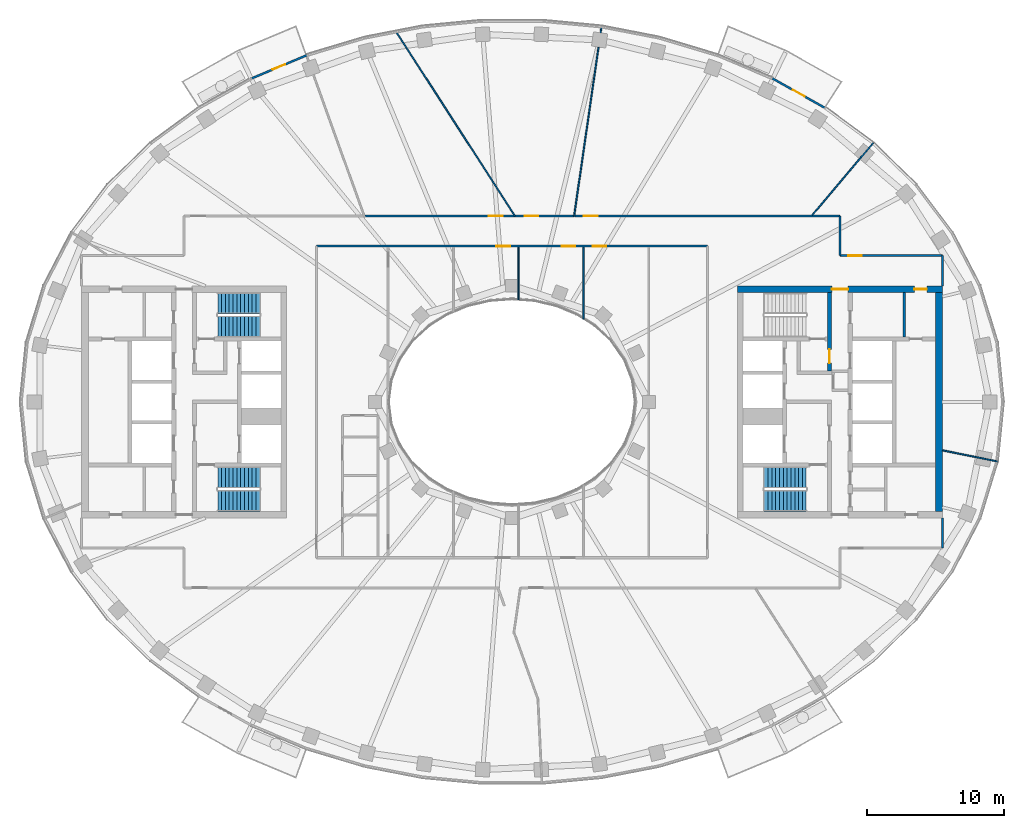
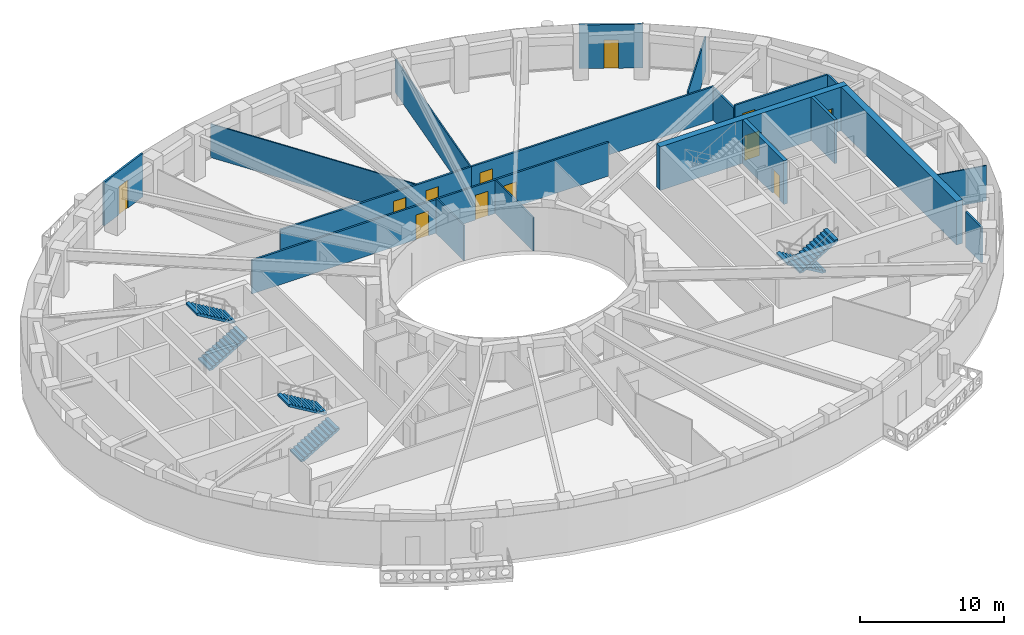
# One storey, part 6 of 15: 19 walls, 12 doors, 6 stair flights, 12 openings, 3 elements without a shape of their own.
"""IFC4 building model written with IfcOpenShell, lengths in metres."""

import ifcopenshell
import ifcopenshell.guid

model = None  # the IFC model being written
_history = None  # IfcOwnerHistory: only IFC2X3 demands one
_inside = {}  # id of a spatial element -> (the spatial element, [elements in it])
_under = {}  # id of a project, library or spatial element -> (it, [spatial elements below it])
_declared = {}  # id of a project -> (the project, [libraries it declares])
_typed = {}  # id of a type object -> (the type object, [elements of that type])
_made_of = {}  # id of a material, layer set ... -> (it, [elements and type objects made of it])


def new_model(schema):
    """Start an empty IFC model of exactly this schema.

    Asked for "IFC4X3", IfcOpenShell would pick the latest addendum, in which some entities
    have other attributes; the version numbers below select the first issue.
    IFC2X3 requires an IfcOwnerHistory on every rooted entity: one is made here for all.
    """
    global model, _history
    if schema == "IFC4X3":
        model = ifcopenshell.file(schema_version=(4, 3, 0, 0))
    else:
        model = ifcopenshell.file(schema=schema)
    _inside.clear()
    _under.clear()
    _declared.clear()
    _typed.clear()
    _made_of.clear()
    _history = None
    if model.schema == "IFC2X3":
        org = make("IfcOrganization", Name="unknown")
        user = make(
            "IfcPersonAndOrganization",
            ThePerson=make("IfcPerson", FamilyName="unknown"),
            TheOrganization=org,
        )
        app = make(
            "IfcApplication",
            ApplicationDeveloper=org,
            Version="unknown",
            ApplicationFullName="unknown",
            ApplicationIdentifier="unknown",
        )
        _history = make(
            "IfcOwnerHistory",
            OwningUser=user,
            OwningApplication=app,
            ChangeAction="ADDED",
            CreationDate=0,
        )
    return model


def make(cls, **values):
    """One entity of the class cls with the attributes given. An attribute that is None is left unset."""
    return model.create_entity(
        cls, **{name: value for name, value in values.items() if value is not None}
    )


def rooted(cls, **values):
    """An entity with a GlobalId (a new one), such as an element, a storey or a relation."""
    return make(cls, GlobalId=ifcopenshell.guid.new(), OwnerHistory=_history, **values)


def si_unit(unit_type, name, prefix=None):
    """IfcSIUnit, for example si_unit("LENGTHUNIT", "METRE", prefix="MILLI")."""
    return make("IfcSIUnit", UnitType=unit_type, Prefix=prefix, Name=name)


def assignment(units):
    """IfcUnitAssignment: the units of a project."""
    return None if units is None else make("IfcUnitAssignment", Units=units)


def point(xyz):
    """IfcCartesianPoint."""
    return None if xyz is None else make("IfcCartesianPoint", Coordinates=xyz)


def direction(xyz):
    """IfcDirection."""
    return None if xyz is None else make("IfcDirection", DirectionRatios=xyz)


def frame(location, z_axis=None, x_axis=None):
    """IfcAxis2Placement3D, a coordinate frame: its origin and axes. An axis left out is left unset."""
    return make(
        "IfcAxis2Placement3D",
        Location=point(location),
        Axis=direction(z_axis),
        RefDirection=direction(x_axis),
    )


def frame_2d(location, x_axis=None):
    """IfcAxis2Placement2D, a coordinate frame in the plane: its origin and x axis."""
    return make(
        "IfcAxis2Placement2D", Location=point(location), RefDirection=direction(x_axis)
    )


def origin():
    """The frame at (0, 0, 0) with its axes left unset."""
    return frame((0.0, 0.0, 0.0))


def place(relative_to, where):
    """IfcLocalPlacement: puts the frame where relative to a parent placement (None: the world)."""
    return make(
        "IfcLocalPlacement", PlacementRelTo=relative_to, RelativePlacement=where
    )


def context(
    kind, dimensions, precision=None, world=None, true_north=None, identifier=None
):
    """IfcGeometricRepresentationContext, for example the 3D "Model" context."""
    return make(
        "IfcGeometricRepresentationContext",
        ContextIdentifier=identifier,
        ContextType=kind,
        CoordinateSpaceDimension=dimensions,
        Precision=precision,
        WorldCoordinateSystem=world,
        TrueNorth=true_north,
    )


def subcontext(parent, identifier, kind, view, scale=None):
    """IfcGeometricRepresentationSubContext, for example "Body" below "Model"."""
    return make(
        "IfcGeometricRepresentationSubContext",
        ContextIdentifier=identifier,
        ContextType=kind,
        ParentContext=parent,
        TargetScale=scale,
        TargetView=view,
    )


def project(units=None, contexts=None):
    """IfcProject with its units and contexts."""
    return rooted(
        "IfcProject",
        Name="project",
        RepresentationContexts=contexts,
        UnitsInContext=assignment(units),
    )


def spatial(cls, under=None, at=None, **own):
    """A site, building, storey or space (cls), placed at a placement, below another one or the project."""
    s = rooted(cls, ObjectPlacement=at, **own)
    if under is not None:
        _under.setdefault(under.id(), (under, []))[1].append(s)
    return s


def polyline(points):
    """IfcPolyline through the points."""
    return make("IfcPolyline", Points=[point(p) for p in points])


def profile(cls, at=None, kind="AREA", **sizes):
    """A parametric profile (cls). Its sizes go by their IFC names, for example OverallWidth=200.0."""
    return make(cls, ProfileType=kind, Position=at, **sizes)


def rectangle(**sizes):
    """IfcRectangleProfileDef."""
    return profile("IfcRectangleProfileDef", **sizes)


def outline(outer, holes=None, kind="AREA"):
    """IfcArbitraryClosedProfileDef: a profile drawn as a closed curve; with holes, ...WithVoids."""
    if holes is None:
        return make("IfcArbitraryClosedProfileDef", ProfileType=kind, OuterCurve=outer)
    return make(
        "IfcArbitraryProfileDefWithVoids",
        ProfileType=kind,
        OuterCurve=outer,
        InnerCurves=holes,
    )


def extrude(swept, where, along, depth):
    """IfcExtrudedAreaSolid: the profile swept, set in the frame where, extruded along a direction by depth."""
    return make(
        "IfcExtrudedAreaSolid",
        SweptArea=swept,
        Position=where,
        ExtrudedDirection=direction(along),
        Depth=depth,
    )


def shape(context_of_items, identifier, shape_type, items):
    """IfcShapeRepresentation: the items that make up one representation, for example the "Body"."""
    return make(
        "IfcShapeRepresentation",
        ContextOfItems=context_of_items,
        RepresentationIdentifier=identifier,
        RepresentationType=shape_type,
        Items=items,
    )


def material(Name=None, Category=None):
    """IfcMaterial."""
    return make("IfcMaterial", Name=Name, Category=Category)


def layer(
    of_material, thickness, ventilated=None, Name=None, Category=None, Priority=None
):
    """IfcMaterialLayer: one layer of a wall or slab, of a material (None: an air gap)."""
    return make(
        "IfcMaterialLayer",
        Material=of_material,
        LayerThickness=thickness,
        IsVentilated=ventilated,
        Name=Name,
        Category=Category,
        Priority=Priority,
    )


def layer_set(layers, Name=None):
    """IfcMaterialLayerSet."""
    return make("IfcMaterialLayerSet", MaterialLayers=layers, LayerSetName=Name)


def made_of(thing, what):
    """Note that an element or type object is made of a material, layer set ...; save() writes the relation."""
    if what is not None:
        _made_of.setdefault(what.id(), (what, []))[1].append(thing)
    return thing


def type_object(cls, material=None, **own):
    """A type object (cls), such as IfcWallType, which elements share."""
    return made_of(rooted(cls, **own), material)


def element(
    cls,
    number,
    at=None,
    inside=None,
    cuts=None,
    type_object=None,
    material=None,
    context=None,
    identifier="Body",
    shape_type=None,
    held_by="IfcProductDefinitionShape",
    body=None,
    shapes=None,
    **own,
):
    """One element of the class cls, such as IfcWall. Its Tag is "e" and its number.

    at: its placement. inside: the storey or other place that contains it. cuts: it is an
    opening in that element (IfcRelVoidsElement). A single representation is given by context,
    identifier, shape_type and body (its items); several are given by shapes. held_by: the class
    of the entity that holds the representations. save() writes the other relations.
    """
    e = rooted(cls, Tag="e%d" % number, ObjectPlacement=at, **own)
    if body is not None:
        shapes = [shape(context, identifier, shape_type, body)]
    if shapes is not None:
        e.Representation = make(held_by, Representations=shapes)
    if inside is not None:
        _inside.setdefault(inside.id(), (inside, []))[1].append(e)
    if cuts is not None:
        rooted(
            "IfcRelVoidsElement", RelatingBuildingElement=cuts, RelatedOpeningElement=e
        )
    if type_object is not None:
        _typed.setdefault(type_object.id(), (type_object, []))[1].append(e)
    return made_of(e, material)


def fill(opening, filler):
    """IfcRelFillsElement: the door or window that sits in an opening."""
    return rooted(
        "IfcRelFillsElement",
        RelatingOpeningElement=opening,
        RelatedBuildingElement=filler,
    )


def aggregate(whole, parts):
    """IfcRelAggregates: a whole, such as a stair, and the parts it consists of."""
    return rooted("IfcRelAggregates", RelatingObject=whole, RelatedObjects=parts)


def save(model, path):
    """Write the relations noted so far, then the file.

    IfcRelAggregates (storeys below a building ...), IfcRelContainedInSpatialStructure (elements
    in a storey), IfcRelDefinesByType, IfcRelAssociatesMaterial and IfcRelDeclares: one each for
    every whole, place, type object, material and project.
    """
    for whole, parts in _under.values():
        aggregate(whole, parts)
    for where, things in _inside.values():
        rooted(
            "IfcRelContainedInSpatialStructure",
            RelatedElements=things,
            RelatingStructure=where,
        )
    for kind, things in _typed.values():
        rooted("IfcRelDefinesByType", RelatedObjects=things, RelatingType=kind)
    for what, things in _made_of.values():
        rooted("IfcRelAssociatesMaterial", RelatedObjects=things, RelatingMaterial=what)
    for by, libraries in _declared.values():
        rooted("IfcRelDeclares", RelatingContext=by, RelatedDefinitions=libraries)
    model.write(path)


model = new_model("IFC4")

# Units and contexts
model_context = context("Model", 3, precision=1e-05, world=origin(), true_north=direction((0.0, 1.0)))
body_context = subcontext(model_context, "Body", "Model", "MODEL_VIEW")
ifc_project = project(units=[si_unit("LENGTHUNIT", "METRE"), si_unit("AREAUNIT", "SQUARE_METRE"), si_unit("VOLUMEUNIT", "CUBIC_METRE"), si_unit("PLANEANGLEUNIT", "RADIAN"), si_unit("MASSUNIT", "GRAM", prefix="KILO")], contexts=[model_context])

# Site, building, storey
site_placement = place(None, origin())
site = spatial("IfcSite", under=ifc_project, at=site_placement, CompositionType="ELEMENT")
building_placement = place(site_placement, origin())
building = spatial("IfcBuilding", under=site, at=building_placement, Name="Noorbagh Ring Tower", CompositionType="ELEMENT")
storey_placement = place(building_placement, frame((0.0, 0.0, 277.5)))
storey = spatial("IfcBuildingStorey", under=building, at=storey_placement, Name="L59", CompositionType="ELEMENT", Elevation=277.5)

# Wall
ifc_material_1 = material(Name="Gypsum board on steel studs", Category="steel")
ifc_layer_1 = layer(ifc_material_1, 0.199951171875)
ifc_layer_set_1 = layer_set([ifc_layer_1], Name="Gypsum board on steel studs")
wall_type_1 = type_object("IfcWallType", Name="CORE-PARTITION-200", PredefinedType="PARTITIONING", material=ifc_layer_set_1)
wall_1_placement = place(storey_placement, frame((28.699951171875, 4.75, 0.0), z_axis=(0.0, 0.0, 1.0), x_axis=(0.0, 1.0, 0.0)))
element("IfcWall", 1, at=wall_1_placement, inside=storey, type_object=wall_type_1, Name="Core partition E", PredefinedType="PARTITIONING", context=body_context, shape_type="SweptSolid", body=[
    extrude(rectangle(XDim=3.25, YDim=0.199951171875, at=frame_2d((1.625, 0.0))), origin(), (0.0, 0.0, 1.0), 3.699951171875),
])

# Wall, opening, door
ifc_material_2 = material(Name="Concrete C60/75", Category="concrete")
ifc_layer_2 = layer(ifc_material_2, 0.300048828125)
ifc_layer_set_2 = layer_set([ifc_layer_2], Name="Concrete C60/75")
wall_type_2 = type_object("IfcWallType", Name="CORE-WALL-300-C60-75-EI240", PredefinedType="SHEAR", material=ifc_layer_set_2)
wall_2_placement = place(storey_placement, frame((23.22998046875, 2.25, 0.0), z_axis=(0.0, 0.0, 1.0), x_axis=(0.0, 1.0, 0.0)))
wall_2 = element("IfcWall", 2, at=wall_2_placement, inside=storey, type_object=wall_type_2, Name="Core wall E", PredefinedType="SHEAR", context=body_context, shape_type="SweptSolid", body=[
    extrude(rectangle(XDim=5.75, YDim=0.300048828125, at=frame_2d((2.875, 0.0))), origin(), (0.0, 0.0, 1.0), 3.699951171875),
])
opening_1_placement = place(wall_2_placement, frame((0.60009765625, 0.0, 0.0)))
opening_1 = element("IfcOpeningElement", 3, at=opening_1_placement, cuts=wall_2, Name="Opening L59-CE10", PredefinedType="OPENING", context=body_context, shape_type="SweptSolid", body=[
    extrude(rectangle(XDim=1.0, YDim=2.10009765625, at=frame_2d((0.5, 1.050048828125))), frame((0.0, 0.16015625, 0.0), z_axis=(0.0, -1.0, 0.0), x_axis=(1.0, 0.0, 0.0)), (0.0, 0.0, 1.0), 0.320068359375),
])
ifc_material_3 = material(Name="Steel door leaf", Category="steel")
door_type_1 = type_object("IfcDoorType", Name="CORE-DOOR-DVEST", OperationType="SINGLE_SWING_LEFT", PredefinedType="DOOR", material=ifc_material_3)
door_1_placement = place(opening_1_placement, origin())
door_1 = element("IfcDoor", 4, at=door_1_placement, inside=storey, type_object=door_type_1, Name="Stair vestibule door L59-CE10", OperationType="SINGLE_SWING_RIGHT", OverallHeight=2.10009765625, OverallWidth=1.0, PredefinedType="DOOR", context=body_context, shape_type="SweptSolid", body=[
    extrude(rectangle(XDim=1.0, YDim=2.10009765625, at=frame_2d((0.5, 1.050048828125))), frame((0.0, 0.02490234375, 0.0), z_axis=(0.0, -1.0, 0.0), x_axis=(1.0, 0.0, 0.0)), (0.0, 0.0, 1.0), 0.050048828125),
])
fill(opening_1, door_1)

# Wall, openings, doors
ifc_material_4 = material(Name="Concrete C60/75", Category="concrete")
ifc_layer_3 = layer(ifc_material_4, 0.5)
ifc_layer_set_3 = layer_set([ifc_layer_3], Name="Concrete C60/75")
wall_type_3 = type_object("IfcWallType", Name="CORE-WALL-500-C60-75-EI240", PredefinedType="SHEAR", material=ifc_layer_set_3)
wall_3_placement = place(storey_placement, frame((16.5, 8.25, 0.0), z_axis=(0.0, 0.0, 1.0), x_axis=(1.0, 0.0, 0.0)))
wall_3 = element("IfcWall", 5, at=wall_3_placement, inside=storey, type_object=wall_type_3, Name="Core wall E", PredefinedType="SHEAR", context=body_context, shape_type="SweptSolid", body=[
    extrude(rectangle(XDim=15.0, YDim=0.5, at=frame_2d((7.5, 0.0))), origin(), (0.0, 0.0, 1.0), 3.699951171875),
])
opening_2_placement = place(wall_3_placement, frame((6.89990234375, 0.0, 0.0)))
opening_2 = element("IfcOpeningElement", 6, at=opening_2_placement, cuts=wall_3, Name="Opening L59-CE11", PredefinedType="OPENING", context=body_context, shape_type="SweptSolid", body=[
    extrude(rectangle(XDim=1.199951171875, YDim=2.10009765625, at=frame_2d((0.60009765625, 1.050048828125))), frame((0.0, 0.260009765625, 0.0), z_axis=(0.0, -1.0, 0.0), x_axis=(1.0, 0.0, 0.0)), (0.0, 0.0, 1.0), 0.52001953125),
])
opening_3_placement = place(wall_3_placement, frame((12.949951171875, 0.0, 0.0)))
opening_3 = element("IfcOpeningElement", 7, at=opening_3_placement, cuts=wall_3, Name="Opening L59-CE14", PredefinedType="OPENING", context=body_context, shape_type="SweptSolid", body=[
    extrude(rectangle(XDim=0.89990234375, YDim=2.10009765625, at=frame_2d((0.449951171875, 1.050048828125))), frame((0.0, 0.260009765625, 0.0), z_axis=(0.0, -1.0, 0.0), x_axis=(1.0, 0.0, 0.0)), (0.0, 0.0, 1.0), 0.52001953125),
])
ifc_material_5 = material(Name="Steel door leaf", Category="steel")
door_type_2 = type_object("IfcDoorType", Name="CORE-DOOR-DROOM", OperationType="SINGLE_SWING_LEFT", PredefinedType="DOOR", material=ifc_material_5)
door_2_placement = place(opening_3_placement, origin())
door_2 = element("IfcDoor", 8, at=door_2_placement, inside=storey, type_object=door_type_2, Name="Core room door L59-CE14", OperationType="SINGLE_SWING_LEFT", OverallHeight=2.10009765625, OverallWidth=0.89990234375, PredefinedType="DOOR", context=body_context, shape_type="SweptSolid", body=[
    extrude(rectangle(XDim=0.89990234375, YDim=2.10009765625, at=frame_2d((0.449951171875, 1.050048828125))), frame((0.0, 0.02490234375, 0.0), z_axis=(0.0, -1.0, 0.0), x_axis=(1.0, 0.0, 0.0)), (0.0, 0.0, 1.0), 0.050048828125),
])
fill(opening_3, door_2)
ifc_material_6 = material(Name="Steel door leaf", Category="steel")
door_type_3 = type_object("IfcDoorType", Name="CORE-DOOR-PORT", OperationType="DOUBLE_DOOR_DOUBLE_SWING", PredefinedType="DOOR", material=ifc_material_6)
door_3_placement = place(opening_2_placement, origin())
door_3 = element("IfcDoor", 9, at=door_3_placement, inside=storey, type_object=door_type_3, Name="Core entrance door L59-CE11", OperationType="DOUBLE_DOOR_DOUBLE_SWING", OverallHeight=2.10009765625, OverallWidth=1.199951171875, PredefinedType="DOOR", context=body_context, shape_type="SweptSolid", body=[
    extrude(rectangle(XDim=1.199951171875, YDim=2.10009765625, at=frame_2d((0.60009765625, 1.050048828125))), frame((0.0, 0.02490234375, 0.0), z_axis=(0.0, -1.0, 0.0), x_axis=(1.0, 0.0, 0.0)), (0.0, 0.0, 1.0), 0.050048828125),
])
fill(opening_2, door_3)

# Wall
wall_4_placement = place(storey_placement, frame((31.25, -8.0, 0.0), z_axis=(0.0, 0.0, 1.0), x_axis=(0.0, 1.0, 0.0)))
element("IfcWall", 10, at=wall_4_placement, inside=storey, type_object=wall_type_3, Name="Core wall E", PredefinedType="SHEAR", context=body_context, shape_type="SweptSolid", body=[
    extrude(rectangle(XDim=16.0, YDim=0.5, at=frame_2d((8.0, 0.0))), origin(), (0.0, 0.0, 1.0), 3.699951171875),
])

# Wall, openings, doors
ifc_material_7 = material(Name="Gypsum board on steel studs", Category="steel")
ifc_layer_4 = layer(ifc_material_7, 0.14990234375)
ifc_layer_set_4 = layer_set([ifc_layer_4], Name="Gypsum board on steel studs")
wall_type_4 = type_object("IfcWallType", Name="CORRIDOR PARTITION 150 EI 30", PredefinedType="PARTITIONING", material=ifc_layer_set_4)
wall_5_placement = place(storey_placement, frame((-14.300048828125, 11.39990234375, 0.0), z_axis=(0.0, 0.0, 1.0), x_axis=(1.0, 0.0, 0.0)))
wall_5 = element("IfcWall", 11, at=wall_5_placement, inside=storey, type_object=wall_type_4, Name="L59/wall/P14", PredefinedType="PARTITIONING", context=body_context, shape_type="SweptSolid", body=[
    extrude(rectangle(XDim=28.60009765625, YDim=0.14990234375, at=frame_2d((14.300048828125, 0.0))), origin(), (0.0, 0.0, 1.0), 2.85009765625),
])
opening_4_placement = place(wall_5_placement, frame((13.159912109375, 0.0, 0.0)))
opening_4 = element("IfcOpeningElement", 12, at=opening_4_placement, cuts=wall_5, Name="Opening D1", PredefinedType="OPENING", context=body_context, shape_type="SweptSolid", body=[
    extrude(rectangle(XDim=1.0, YDim=2.10009765625, at=frame_2d((0.5, 1.050048828125))), frame((0.0, 0.0849609375, 0.0), z_axis=(0.0, -1.0, 0.0), x_axis=(1.0, 0.0, 0.0)), (0.0, 0.0, 1.0), 0.169921875),
])
opening_5_placement = place(wall_5_placement, frame((17.927001953125, 0.0, 0.0)))
opening_5 = element("IfcOpeningElement", 13, at=opening_5_placement, cuts=wall_5, Name="Opening D1", PredefinedType="OPENING", context=body_context, shape_type="SweptSolid", body=[
    extrude(rectangle(XDim=1.0, YDim=2.10009765625, at=frame_2d((0.5, 1.050048828125))), frame((0.0, 0.0849609375, 0.0), z_axis=(0.0, -1.0, 0.0), x_axis=(1.0, 0.0, 0.0)), (0.0, 0.0, 1.0), 0.169921875),
])
opening_6_placement = place(wall_5_placement, frame((20.193115234375, 0.0, 0.0)))
opening_6 = element("IfcOpeningElement", 14, at=opening_6_placement, cuts=wall_5, Name="Opening D1", PredefinedType="OPENING", context=body_context, shape_type="SweptSolid", body=[
    extrude(rectangle(XDim=1.0, YDim=2.10009765625, at=frame_2d((0.5, 1.050048828125))), frame((0.0, 0.0849609375, 0.0), z_axis=(0.0, -1.0, 0.0), x_axis=(1.0, 0.0, 0.0)), (0.0, 0.0, 1.0), 0.169921875),
])
ifc_material_8 = material(Name="Timber, painted", Category="wood")
door_type_4 = type_object("IfcDoorType", Name="DOOR 1000 X 2100 FD30", OperationType="SINGLE_SWING_LEFT", PredefinedType="DOOR", material=ifc_material_8)
door_4_placement = place(opening_4_placement, origin())
door_4 = element("IfcDoor", 15, at=door_4_placement, inside=storey, type_object=door_type_4, Name="L59-D18", OperationType="SINGLE_SWING_RIGHT", OverallHeight=2.10009765625, OverallWidth=1.0, PredefinedType="DOOR", context=body_context, shape_type="SweptSolid", body=[
    extrude(rectangle(XDim=1.0, YDim=2.10009765625, at=frame_2d((0.5, 1.050048828125))), frame((0.0, 0.02490234375, 0.0), z_axis=(0.0, -1.0, 0.0), x_axis=(1.0, 0.0, 0.0)), (0.0, 0.0, 1.0), 0.050048828125),
])
fill(opening_4, door_4)
door_5_placement = place(opening_5_placement, origin())
door_5 = element("IfcDoor", 16, at=door_5_placement, inside=storey, type_object=door_type_4, Name="L59-D20", OperationType="SINGLE_SWING_RIGHT", OverallHeight=2.10009765625, OverallWidth=1.0, PredefinedType="DOOR", context=body_context, shape_type="SweptSolid", body=[
    extrude(rectangle(XDim=1.0, YDim=2.10009765625, at=frame_2d((0.5, 1.050048828125))), frame((0.0, 0.02490234375, 0.0), z_axis=(0.0, -1.0, 0.0), x_axis=(1.0, 0.0, 0.0)), (0.0, 0.0, 1.0), 0.050048828125),
])
fill(opening_5, door_5)
door_6_placement = place(opening_6_placement, origin())
door_6 = element("IfcDoor", 17, at=door_6_placement, inside=storey, type_object=door_type_4, Name="L59-D21", OperationType="SINGLE_SWING_LEFT", OverallHeight=2.10009765625, OverallWidth=1.0, PredefinedType="DOOR", context=body_context, shape_type="SweptSolid", body=[
    extrude(rectangle(XDim=1.0, YDim=2.10009765625, at=frame_2d((0.5, 1.050048828125))), frame((0.0, 0.02490234375, 0.0), z_axis=(0.0, -1.0, 0.0), x_axis=(1.0, 0.0, 0.0)), (0.0, 0.0, 1.0), 0.050048828125),
])
fill(opening_6, door_6)

wall_6_placement = place(storey_placement, frame((-10.758056640625, 13.60009765625, 0.0), z_axis=(0.0, 0.0, 1.0), x_axis=(1.0, 0.0, 0.0)))
wall_6 = element("IfcWall", 18, at=wall_6_placement, inside=storey, type_object=wall_type_4, Name="L59/wall/P21", PredefinedType="PARTITIONING", context=body_context, shape_type="SweptSolid", body=[
    extrude(rectangle(XDim=15.303955078125, YDim=0.14990234375, at=frame_2d((7.65185546875, 0.0))), origin(), (0.0, 0.0, 1.0), 2.85009765625),
])
opening_7_placement = place(wall_6_placement, frame((9.072998046875, 0.0, 0.0)))
opening_7 = element("IfcOpeningElement", 19, at=opening_7_placement, cuts=wall_6, Name="Opening D1", PredefinedType="OPENING", context=body_context, shape_type="SweptSolid", body=[
    extrude(rectangle(XDim=1.0, YDim=2.10009765625, at=frame_2d((0.5, 1.050048828125))), frame((0.0, 0.0849609375, 0.0), z_axis=(0.0, -1.0, 0.0), x_axis=(1.0, 0.0, 0.0)), (0.0, 0.0, 1.0), 0.169921875),
])
opening_8_placement = place(wall_6_placement, frame((11.674072265625, 0.0, 0.0)))
opening_8 = element("IfcOpeningElement", 20, at=opening_8_placement, cuts=wall_6, Name="Opening D1", PredefinedType="OPENING", context=body_context, shape_type="SweptSolid", body=[
    extrude(rectangle(XDim=1.0, YDim=2.10009765625, at=frame_2d((0.5, 1.050048828125))), frame((0.0, 0.0849609375, 0.0), z_axis=(0.0, -1.0, 0.0), x_axis=(1.0, 0.0, 0.0)), (0.0, 0.0, 1.0), 0.169921875),
])
door_7_placement = place(opening_7_placement, origin())
door_7 = element("IfcDoor", 21, at=door_7_placement, inside=storey, type_object=door_type_4, Name="L59-D09", OperationType="SINGLE_SWING_LEFT", OverallHeight=2.10009765625, OverallWidth=1.0, PredefinedType="DOOR", context=body_context, shape_type="SweptSolid", body=[
    extrude(rectangle(XDim=1.0, YDim=2.10009765625, at=frame_2d((0.5, 1.050048828125))), frame((0.0, 0.02490234375, 0.0), z_axis=(0.0, -1.0, 0.0), x_axis=(1.0, 0.0, 0.0)), (0.0, 0.0, 1.0), 0.050048828125),
])
fill(opening_7, door_7)
door_8_placement = place(opening_8_placement, origin())
door_8 = element("IfcDoor", 22, at=door_8_placement, inside=storey, type_object=door_type_4, Name="L59-D10", OperationType="SINGLE_SWING_RIGHT", OverallHeight=2.10009765625, OverallWidth=1.0, PredefinedType="DOOR", context=body_context, shape_type="SweptSolid", body=[
    extrude(rectangle(XDim=1.0, YDim=2.10009765625, at=frame_2d((0.5, 1.050048828125))), frame((0.0, 0.02490234375, 0.0), z_axis=(0.0, -1.0, 0.0), x_axis=(1.0, 0.0, 0.0)), (0.0, 0.0, 1.0), 0.050048828125),
])
fill(opening_8, door_8)

# Wall, opening, door
wall_7_placement = place(storey_placement, frame((4.56591796875, 13.60009765625, 0.0), z_axis=(0.0, 0.0, 1.0), x_axis=(1.0, 0.0, 0.0)))
wall_7 = element("IfcWall", 23, at=wall_7_placement, inside=storey, type_object=wall_type_4, Name="L59/wall/P37", PredefinedType="PARTITIONING", context=body_context, shape_type="SweptSolid", body=[
    extrude(rectangle(XDim=19.43408203125, YDim=0.14990234375, at=frame_2d((9.717041015625, 0.0))), origin(), (0.0, 0.0, 1.0), 2.85009765625),
])
opening_9_placement = place(wall_7_placement, frame((0.69189453125, 0.0, 0.0)))
opening_9 = element("IfcOpeningElement", 24, at=opening_9_placement, cuts=wall_7, Name="Opening D1", PredefinedType="OPENING", context=body_context, shape_type="SweptSolid", body=[
    extrude(rectangle(XDim=1.0, YDim=2.10009765625, at=frame_2d((0.5, 1.050048828125))), frame((0.0, 0.0849609375, 0.0), z_axis=(0.0, -1.0, 0.0), x_axis=(1.0, 0.0, 0.0)), (0.0, 0.0, 1.0), 0.169921875),
])
door_9_placement = place(opening_9_placement, origin())
door_9 = element("IfcDoor", 25, at=door_9_placement, inside=storey, type_object=door_type_4, Name="L59-D12", OperationType="SINGLE_SWING_RIGHT", OverallHeight=2.10009765625, OverallWidth=1.0, PredefinedType="DOOR", context=body_context, shape_type="SweptSolid", body=[
    extrude(rectangle(XDim=1.0, YDim=2.10009765625, at=frame_2d((0.5, 1.050048828125))), frame((0.0, 0.02490234375, 0.0), z_axis=(0.0, -1.0, 0.0), x_axis=(1.0, 0.0, 0.0)), (0.0, 0.0, 1.0), 0.050048828125),
])
fill(opening_9, door_9)

# Wall
wall_8_placement = place(storey_placement, frame((24.0, 10.699951171875, 0.0), z_axis=(0.0, 0.0, 1.0), x_axis=(0.0, 1.0, 0.0)))
element("IfcWall", 26, at=wall_8_placement, inside=storey, type_object=wall_type_4, Name="L59/wall/P46", PredefinedType="PARTITIONING", context=body_context, shape_type="SweptSolid", body=[
    extrude(rectangle(XDim=2.900146484375, YDim=0.14990234375, at=frame_2d((1.4501953125, 0.0))), origin(), (0.0, 0.0, 1.0), 2.75),
])

# Wall, opening, door
wall_9_placement = place(storey_placement, frame((24.0, 10.699951171875, 0.0), z_axis=(0.0, 0.0, 1.0), x_axis=(1.0, 0.0, 0.0)))
wall_9 = element("IfcWall", 27, at=wall_9_placement, inside=storey, type_object=wall_type_4, Name="L59/wall/P47", PredefinedType="PARTITIONING", context=body_context, shape_type="SweptSolid", body=[
    extrude(rectangle(XDim=7.5, YDim=0.14990234375, at=frame_2d((3.75, 0.0))), origin(), (0.0, 0.0, 1.0), 3.0),
])
opening_10_placement = place(wall_9_placement, frame((0.60009765625, 0.0, 0.0)))
opening_10 = element("IfcOpeningElement", 28, at=opening_10_placement, cuts=wall_9, Name="Opening D1", PredefinedType="OPENING", context=body_context, shape_type="SweptSolid", body=[
    extrude(rectangle(XDim=1.0, YDim=2.10009765625, at=frame_2d((0.5, 1.050048828125))), frame((0.0, 0.0849609375, 0.0), z_axis=(0.0, -1.0, 0.0), x_axis=(1.0, 0.0, 0.0)), (0.0, 0.0, 1.0), 0.169921875),
])
door_10_placement = place(opening_10_placement, origin())
door_10 = element("IfcDoor", 29, at=door_10_placement, inside=storey, type_object=door_type_4, Name="L59-D14", OperationType="SINGLE_SWING_RIGHT", OverallHeight=2.10009765625, OverallWidth=1.0, PredefinedType="DOOR", context=body_context, shape_type="SweptSolid", body=[
    extrude(rectangle(XDim=1.0, YDim=2.10009765625, at=frame_2d((0.5, 1.050048828125))), frame((0.0, 0.02490234375, 0.0), z_axis=(0.0, -1.0, 0.0), x_axis=(1.0, 0.0, 0.0)), (0.0, 0.0, 1.0), 0.050048828125),
])
fill(opening_10, door_10)

# Walls
for number, where, z_axis, x_axis, name in (
    (30, (31.5, -10.699951171875, 0.0), (0.0, 0.0, 1.0), (0.0, 1.0, 0.0), "L59/wall/P48"),
    (31, (31.5, 8.5, 0.0), (0.0, 0.0, 1.0), (0.0, 1.0, 0.0), "L59/wall/P50"),
):
    element("IfcWall", number, at=place(storey_placement, frame(where, z_axis=z_axis, x_axis=x_axis)), inside=storey, type_object=wall_type_4, Name=name, PredefinedType="PARTITIONING", context=body_context, shape_type="SweptSolid", body=[
        extrude(rectangle(XDim=2.199951171875, YDim=0.14990234375, at=frame_2d((1.10009765625, 0.0))), origin(), (0.0, 0.0, 1.0), 3.0),
    ])

# Wall, opening, door
ifc_material_9 = material(Name="Insulated aluminium clad panel", Category="aluminium")
ifc_layer_5 = layer(ifc_material_9, 0.14990234375)
ifc_layer_set_5 = layer_set([ifc_layer_5], Name="Insulated aluminium clad panel")
wall_type_5 = type_object("IfcWallType", Name="ENV-WALL-DOOR", PredefinedType="STANDARD", material=ifc_layer_set_5)
wall_10_placement = place(storey_placement, frame((22.913330078125, 21.508544921875, 0.0), z_axis=(0.0, 0.0, 1.0), x_axis=(-0.872046572975, 0.489422899509, 0.0)))
wall_10 = element("IfcWall", 32, at=wall_10_placement, inside=storey, type_object=wall_type_5, Name="Balcony door wall chord 07", PredefinedType="STANDARD", context=body_context, shape_type="SweptSolid", body=[
    extrude(rectangle(XDim=4.425537109375, YDim=0.14990234375, at=frame_2d((2.212890625, 0.0))), origin(), (0.0, 0.0, 1.0), 3.699951171875),
])
opening_11_placement = place(wall_10_placement, frame((1.712646484375, 0.0, 0.0)))
opening_11 = element("IfcOpeningElement", 33, at=opening_11_placement, cuts=wall_10, Name="Opening D-BL", PredefinedType="OPENING", context=body_context, shape_type="SweptSolid", body=[
    extrude(rectangle(XDim=1.0, YDim=2.39990234375, at=frame_2d((0.5, 1.199951171875))), frame((0.0, 0.0849609375, 0.0), z_axis=(0.0, -1.0, 0.0), x_axis=(1.0, 0.0, 0.0)), (0.0, 0.0, 1.0), 0.169921875),
])
ifc_material_10 = material(Name="Aluminium and glass", Category="aluminium")
door_type_5 = type_object("IfcDoorType", Name="ENV-DOOR-BALCONY", OperationType="SINGLE_SWING_LEFT", PredefinedType="DOOR", material=ifc_material_10)
door_11_placement = place(opening_11_placement, origin())
door_11 = element("IfcDoor", 34, at=door_11_placement, inside=storey, type_object=door_type_5, Name="Balcony door chord 07", OperationType="SINGLE_SWING_RIGHT", OverallHeight=2.39990234375, OverallWidth=1.0, PredefinedType="DOOR", context=body_context, shape_type="SweptSolid", body=[
    extrude(rectangle(XDim=1.0, YDim=2.39990234375, at=frame_2d((0.5, 1.199951171875))), frame((0.0, 0.02490234375, 0.0), z_axis=(0.0, -1.0, 0.0), x_axis=(1.0, 0.0, 0.0)), (0.0, 0.0, 1.0), 0.050048828125),
])
fill(opening_11, door_11)

wall_11_placement = place(storey_placement, frame((-15.017822265625, 25.368896484375, 0.0), z_axis=(0.0, 0.0, 1.0), x_axis=(-0.921816985161, -0.387625393736, 0.0)))
wall_11 = element("IfcWall", 35, at=wall_11_placement, inside=storey, type_object=wall_type_5, Name="Balcony door wall chord 16", PredefinedType="STANDARD", context=body_context, shape_type="SweptSolid", body=[
    extrude(rectangle(XDim=4.42578125, YDim=0.14990234375, at=frame_2d((2.212890625, 0.0))), origin(), (0.0, 0.0, 1.0), 3.699951171875),
])
opening_12_placement = place(wall_11_placement, frame((1.712890625, 0.0, 0.0)))
opening_12 = element("IfcOpeningElement", 36, at=opening_12_placement, cuts=wall_11, Name="Opening D-BL", PredefinedType="OPENING", context=body_context, shape_type="SweptSolid", body=[
    extrude(rectangle(XDim=1.0, YDim=2.39990234375, at=frame_2d((0.5, 1.199951171875))), frame((0.0, 0.0849609375, 0.0), z_axis=(0.0, -1.0, 0.0), x_axis=(1.0, 0.0, 0.0)), (0.0, 0.0, 1.0), 0.169921875),
])
door_12_placement = place(opening_12_placement, origin())
door_12 = element("IfcDoor", 37, at=door_12_placement, inside=storey, type_object=door_type_5, Name="Balcony door chord 16", OperationType="SINGLE_SWING_RIGHT", OverallHeight=2.39990234375, OverallWidth=1.0, PredefinedType="DOOR", context=body_context, shape_type="SweptSolid", body=[
    extrude(rectangle(XDim=1.0, YDim=2.39990234375, at=frame_2d((0.5, 1.199951171875))), frame((0.0, 0.02490234375, 0.0), z_axis=(0.0, -1.0, 0.0), x_axis=(1.0, 0.0, 0.0)), (0.0, 0.0, 1.0), 0.050048828125),
])
fill(opening_12, door_12)

# Walls
ifc_material_11 = material(Name="Gypsum board on steel studs", Category="steel")
ifc_layer_6 = layer(ifc_material_11, 0.10009765625)
ifc_layer_set_6 = layer_set([ifc_layer_6], Name="Gypsum board on steel studs")
wall_type_6 = type_object("IfcWallType", Name="PARTITION 100 GYPSUM", PredefinedType="PARTITIONING", material=ifc_layer_set_6)
wall_12_placement = place(storey_placement, frame((-8.490966796875, 27.10400390625, 0.0), z_axis=(0.0, 0.0, 1.0), x_axis=(0.542236323003, -0.840226023172, 0.0)))
element("IfcWall", 38, at=wall_12_placement, inside=storey, type_object=wall_type_6, Name="L59/wall/P26", PredefinedType="PARTITIONING", context=body_context, shape_type="SweptSolid", body=[
    extrude(rectangle(XDim=16.053955078125, YDim=0.10009765625, at=frame_2d((8.02685546875, 0.0))), origin(), (0.0, 0.0, 1.0), 2.85009765625),
])
wall_13_placement = place(storey_placement, frame((0.47705078125, 7.468017578125, 0.0), z_axis=(0.0, 0.0, 1.0), x_axis=(0.0, 1.0, 0.0)))
element("IfcWall", 39, at=wall_13_placement, inside=storey, type_object=wall_type_6, Name="L59/wall/P33", PredefinedType="PARTITIONING", context=body_context, shape_type="SweptSolid", body=[
    extrude(rectangle(XDim=3.85693359375, YDim=0.10009765625, at=frame_2d((1.928466796875, 0.0))), origin(), (0.0, 0.0, 1.0), 3.0),
])
wall_14_placement = place(storey_placement, frame((4.5458984375, 13.60400390625, 0.0), z_axis=(0.0, 0.0, 1.0), x_axis=(0.143076365974, 0.989711651694, 0.0)))
element("IfcWall", 40, at=wall_14_placement, inside=storey, type_object=wall_type_6, Name="L59/wall/P36", PredefinedType="PARTITIONING", context=body_context, shape_type="SweptSolid", body=[
    extrude(rectangle(XDim=14.021240234375, YDim=0.10009765625, at=frame_2d((7.0107421875, 0.0))), origin(), (0.0, 0.0, 1.0), 2.85009765625),
])
wall_15_placement = place(storey_placement, frame((5.242919921875, 6.05908203125, 0.0), z_axis=(0.0, 0.0, 1.0), x_axis=(0.0, 1.0, 0.0)))
element("IfcWall", 41, at=wall_15_placement, inside=storey, type_object=wall_type_6, Name="L59/wall/P39", PredefinedType="PARTITIONING", context=body_context, shape_type="SweptSolid", body=[
    extrude(rectangle(XDim=5.265869140625, YDim=0.10009765625, at=frame_2d((2.6328125, 0.0))), origin(), (0.0, 0.0, 1.0), 2.85009765625),
])
wall_16_placement = place(storey_placement, frame((21.968017578125, 13.677978515625, 0.0), z_axis=(0.0, 0.0, 1.0), x_axis=(0.646376547424, 0.763018583614, 0.0)))
element("IfcWall", 42, at=wall_16_placement, inside=storey, type_object=wall_type_6, Name="L59/wall/P43", PredefinedType="PARTITIONING", context=body_context, shape_type="SweptSolid", body=[
    extrude(rectangle(XDim=6.903076171875, YDim=0.10009765625, at=frame_2d((3.45166015625, 0.0))), origin(), (0.0, 0.0, 1.0), 3.0),
])
wall_17_placement = place(storey_placement, frame((31.5, -3.5419921875, 0.0), z_axis=(0.0, 0.0, 1.0), x_axis=(0.980357474535, -0.197228857227, 0.0)))
element("IfcWall", 43, at=wall_17_placement, inside=storey, type_object=wall_type_6, Name="L59/wall/P49", PredefinedType="PARTITIONING", context=body_context, shape_type="SweptSolid", body=[
    extrude(rectangle(XDim=4.09228515625, YDim=0.10009765625, at=frame_2d((2.046142578125, 0.0))), origin(), (0.0, 0.0, 1.0), 3.0),
])

# Stair, stair flights
ifc_material_12 = material(Name="Concrete C40/50", Category="concrete")
stair_type = type_object("IfcStairType", Name="CORE-STAIR", PredefinedType="HALF_TURN_STAIR", material=ifc_material_12)
stair_1_placement = place(storey_placement, origin())
stair_1 = element("IfcStair", 44, at=stair_1_placement, inside=storey, type_object=stair_type, Name="L59 Exit stair ST1", PredefinedType="HALF_TURN_STAIR")
ifc_material_13 = material(Name="Concrete C40/50", Category="concrete")
stair_flight_type = type_object("IfcStairFlightType", Name="CORE-STAIR-FLIGHT", PredefinedType="STRAIGHT", material=ifc_material_13)
stair_flight_1_placement = place(storey_placement, frame((-21.530029296875, 5.52490234375, 0.0), z_axis=(0.0, 0.0, 1.0), x_axis=(1.0, 0.0, 0.0)))
stair_flight_1 = element("IfcStairFlight", 45, at=stair_flight_1_placement, type_object=stair_flight_type, Name="ST1 flight 1", NumberOfRisers=12, NumberOfTreads=11, PredefinedType="STRAIGHT", RiserHeight=0.166666667, TreadLength=0.28, context=body_context, shape_type="SweptSolid", body=[
    extrude(outline(polyline([(0.0, 0.0), (0.0, 0.166748046875), (0.280029296875, 0.166748046875), (0.280029296875, 0.333251953125), (0.56005859375, 0.333251953125), (0.56005859375, 0.5), (0.840087890625, 0.5), (0.840087890625, 0.666748046875), (1.1201171875, 0.666748046875), (1.1201171875, 0.833251953125), (1.39990234375, 0.833251953125), (1.39990234375, 1.0), (1.679931640625, 1.0), (1.679931640625, 1.166748046875), (1.9599609375, 1.166748046875), (1.9599609375, 1.333251953125), (2.239990234375, 1.333251953125), (2.239990234375, 1.5), (2.52001953125, 1.5), (2.52001953125, 1.666748046875), (2.800048828125, 1.666748046875), (2.800048828125, 1.833251953125), (3.080078125, 1.833251953125), (3.080078125, 2.0), (3.080078125, 1.658935546875), (0.29296875, 0.0), (0.0, 0.0)])), frame((0.0, 0.77490234375, 0.0), z_axis=(0.0, -1.0, 0.0), x_axis=(1.0, 0.0, 0.0)), (0.0, 0.0, 1.0), 1.550048828125),
])
stair_flight_2_placement = place(storey_placement, frame((-18.449951171875, 7.22509765625, 2.0), z_axis=(0.0, 0.0, 1.0), x_axis=(-1.0, 0.0, 0.0)))
stair_flight_2 = element("IfcStairFlight", 46, at=stair_flight_2_placement, type_object=stair_flight_type, Name="ST1 flight 2", NumberOfRisers=12, NumberOfTreads=11, PredefinedType="STRAIGHT", RiserHeight=0.166666667, TreadLength=0.28, context=body_context, shape_type="SweptSolid", body=[
    extrude(outline(polyline([(0.0, 0.0), (0.0, 0.166748046875), (0.280029296875, 0.166748046875), (0.280029296875, 0.333251953125), (0.56005859375, 0.333251953125), (0.56005859375, 0.5), (0.840087890625, 0.5), (0.840087890625, 0.666748046875), (1.1201171875, 0.666748046875), (1.1201171875, 0.833251953125), (1.39990234375, 0.833251953125), (1.39990234375, 1.0), (1.679931640625, 1.0), (1.679931640625, 1.166748046875), (1.9599609375, 1.166748046875), (1.9599609375, 1.333251953125), (2.239990234375, 1.333251953125), (2.239990234375, 1.5), (2.52001953125, 1.5), (2.52001953125, 1.666748046875), (2.800048828125, 1.666748046875), (2.800048828125, 1.833251953125), (3.080078125, 1.833251953125), (3.080078125, 2.0), (3.080078125, 1.658935546875), (0.29296875, 0.0), (0.0, 0.0)])), frame((0.0, 0.77490234375, 0.0), z_axis=(0.0, -1.0, 0.0), x_axis=(1.0, 0.0, 0.0)), (0.0, 0.0, 1.0), 1.550048828125),
])
aggregate(stair_1, [stair_flight_1, stair_flight_2])

stair_2_placement = place(storey_placement, origin())
stair_2 = element("IfcStair", 47, at=stair_2_placement, inside=storey, type_object=stair_type, Name="L59 Exit stair ST2", PredefinedType="HALF_TURN_STAIR")
stair_flight_3_placement = place(storey_placement, frame((-21.530029296875, -7.22509765625, 0.0), z_axis=(0.0, 0.0, 1.0), x_axis=(1.0, 0.0, 0.0)))
stair_flight_3 = element("IfcStairFlight", 48, at=stair_flight_3_placement, type_object=stair_flight_type, Name="ST2 flight 1", NumberOfRisers=12, NumberOfTreads=11, PredefinedType="STRAIGHT", RiserHeight=0.166666667, TreadLength=0.28, context=body_context, shape_type="SweptSolid", body=[
    extrude(outline(polyline([(0.0, 0.0), (0.0, 0.166748046875), (0.280029296875, 0.166748046875), (0.280029296875, 0.333251953125), (0.56005859375, 0.333251953125), (0.56005859375, 0.5), (0.840087890625, 0.5), (0.840087890625, 0.666748046875), (1.1201171875, 0.666748046875), (1.1201171875, 0.833251953125), (1.39990234375, 0.833251953125), (1.39990234375, 1.0), (1.679931640625, 1.0), (1.679931640625, 1.166748046875), (1.9599609375, 1.166748046875), (1.9599609375, 1.333251953125), (2.239990234375, 1.333251953125), (2.239990234375, 1.5), (2.52001953125, 1.5), (2.52001953125, 1.666748046875), (2.800048828125, 1.666748046875), (2.800048828125, 1.833251953125), (3.080078125, 1.833251953125), (3.080078125, 2.0), (3.080078125, 1.658935546875), (0.29296875, 0.0), (0.0, 0.0)])), frame((0.0, 0.77490234375, 0.0), z_axis=(0.0, -1.0, 0.0), x_axis=(1.0, 0.0, 0.0)), (0.0, 0.0, 1.0), 1.550048828125),
])
stair_flight_4_placement = place(storey_placement, frame((-18.449951171875, -5.52490234375, 2.0), z_axis=(0.0, 0.0, 1.0), x_axis=(-1.0, 0.0, 0.0)))
stair_flight_4 = element("IfcStairFlight", 49, at=stair_flight_4_placement, type_object=stair_flight_type, Name="ST2 flight 2", NumberOfRisers=12, NumberOfTreads=11, PredefinedType="STRAIGHT", RiserHeight=0.166666667, TreadLength=0.28, context=body_context, shape_type="SweptSolid", body=[
    extrude(outline(polyline([(0.0, 0.0), (0.0, 0.166748046875), (0.280029296875, 0.166748046875), (0.280029296875, 0.333251953125), (0.56005859375, 0.333251953125), (0.56005859375, 0.5), (0.840087890625, 0.5), (0.840087890625, 0.666748046875), (1.1201171875, 0.666748046875), (1.1201171875, 0.833251953125), (1.39990234375, 0.833251953125), (1.39990234375, 1.0), (1.679931640625, 1.0), (1.679931640625, 1.166748046875), (1.9599609375, 1.166748046875), (1.9599609375, 1.333251953125), (2.239990234375, 1.333251953125), (2.239990234375, 1.5), (2.52001953125, 1.5), (2.52001953125, 1.666748046875), (2.800048828125, 1.666748046875), (2.800048828125, 1.833251953125), (3.080078125, 1.833251953125), (3.080078125, 2.0), (3.080078125, 1.658935546875), (0.29296875, 0.0), (0.0, 0.0)])), frame((0.0, 0.77490234375, 0.0), z_axis=(0.0, -1.0, 0.0), x_axis=(1.0, 0.0, 0.0)), (0.0, 0.0, 1.0), 1.550048828125),
])
aggregate(stair_2, [stair_flight_3, stair_flight_4])

stair_3_placement = place(storey_placement, origin())
stair_3 = element("IfcStair", 50, at=stair_3_placement, inside=storey, type_object=stair_type, Name="L59 Exit stair ST4", PredefinedType="HALF_TURN_STAIR")
stair_flight_5_placement = place(storey_placement, frame((21.530029296875, -5.52490234375, 0.0), z_axis=(0.0, 0.0, 1.0), x_axis=(-1.0, 0.0, 0.0)))
stair_flight_5 = element("IfcStairFlight", 51, at=stair_flight_5_placement, type_object=stair_flight_type, Name="ST4 flight 1", NumberOfRisers=12, NumberOfTreads=11, PredefinedType="STRAIGHT", RiserHeight=0.166666667, TreadLength=0.28, context=body_context, shape_type="SweptSolid", body=[
    extrude(outline(polyline([(0.0, 0.0), (0.0, 0.166748046875), (0.280029296875, 0.166748046875), (0.280029296875, 0.333251953125), (0.56005859375, 0.333251953125), (0.56005859375, 0.5), (0.840087890625, 0.5), (0.840087890625, 0.666748046875), (1.1201171875, 0.666748046875), (1.1201171875, 0.833251953125), (1.39990234375, 0.833251953125), (1.39990234375, 1.0), (1.679931640625, 1.0), (1.679931640625, 1.166748046875), (1.9599609375, 1.166748046875), (1.9599609375, 1.333251953125), (2.239990234375, 1.333251953125), (2.239990234375, 1.5), (2.52001953125, 1.5), (2.52001953125, 1.666748046875), (2.800048828125, 1.666748046875), (2.800048828125, 1.833251953125), (3.080078125, 1.833251953125), (3.080078125, 2.0), (3.080078125, 1.658935546875), (0.29296875, 0.0), (0.0, 0.0)])), frame((0.0, 0.77490234375, 0.0), z_axis=(0.0, -1.0, 0.0), x_axis=(1.0, 0.0, 0.0)), (0.0, 0.0, 1.0), 1.550048828125),
])
stair_flight_6_placement = place(storey_placement, frame((18.449951171875, -7.22509765625, 2.0), z_axis=(0.0, 0.0, 1.0), x_axis=(1.0, 0.0, 0.0)))
stair_flight_6 = element("IfcStairFlight", 52, at=stair_flight_6_placement, type_object=stair_flight_type, Name="ST4 flight 2", NumberOfRisers=12, NumberOfTreads=11, PredefinedType="STRAIGHT", RiserHeight=0.166666667, TreadLength=0.28, context=body_context, shape_type="SweptSolid", body=[
    extrude(outline(polyline([(0.0, 0.0), (0.0, 0.166748046875), (0.280029296875, 0.166748046875), (0.280029296875, 0.333251953125), (0.56005859375, 0.333251953125), (0.56005859375, 0.5), (0.840087890625, 0.5), (0.840087890625, 0.666748046875), (1.1201171875, 0.666748046875), (1.1201171875, 0.833251953125), (1.39990234375, 0.833251953125), (1.39990234375, 1.0), (1.679931640625, 1.0), (1.679931640625, 1.166748046875), (1.9599609375, 1.166748046875), (1.9599609375, 1.333251953125), (2.239990234375, 1.333251953125), (2.239990234375, 1.5), (2.52001953125, 1.5), (2.52001953125, 1.666748046875), (2.800048828125, 1.666748046875), (2.800048828125, 1.833251953125), (3.080078125, 1.833251953125), (3.080078125, 2.0), (3.080078125, 1.658935546875), (0.29296875, 0.0), (0.0, 0.0)])), frame((0.0, 0.77490234375, 0.0), z_axis=(0.0, -1.0, 0.0), x_axis=(1.0, 0.0, 0.0)), (0.0, 0.0, 1.0), 1.550048828125),
])
aggregate(stair_3, [stair_flight_5, stair_flight_6])

save(model, "model.ifc")
